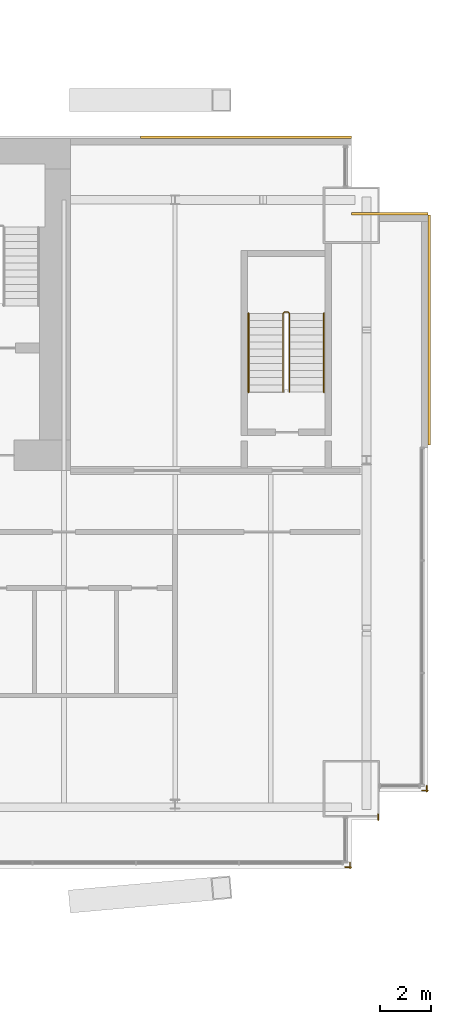
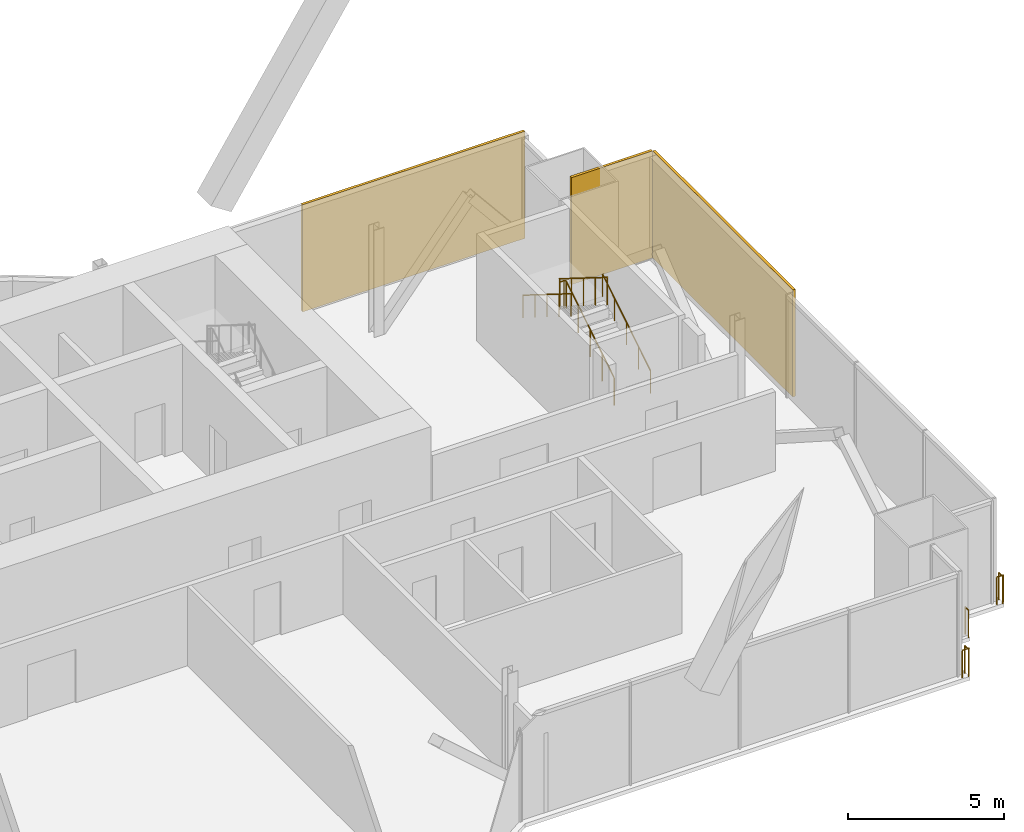
# One storey, part 19 of 19: 6 railings, 3 coverings.
"""IFC4 building model written with IfcOpenShell, lengths in metres."""

from ifc_helpers import new_model, si_unit, direction, frame, origin, origin_2d, place, context, subcontext, project, spatial, rectangle, circle, extrude, material, layer, layer_set, type_object, element, save


model = new_model("IFC4")

# Units and contexts
model_context = context("Model", 3, precision=1e-05, world=origin(), true_north=direction((0.0, 1.0)))
body_context = subcontext(model_context, "Body", "Model", "MODEL_VIEW")
ifc_project = project(units=[si_unit("LENGTHUNIT", "METRE"), si_unit("AREAUNIT", "SQUARE_METRE"), si_unit("VOLUMEUNIT", "CUBIC_METRE"), si_unit("PLANEANGLEUNIT", "RADIAN"), si_unit("MASSUNIT", "GRAM", prefix="KILO")], contexts=[model_context])

# Site, building, storey
site_placement = place(None, origin())
site = spatial("IfcSite", under=ifc_project, at=site_placement, CompositionType="ELEMENT")
building_placement = place(site_placement, origin())
building = spatial("IfcBuilding", under=site, at=building_placement, Name="Bicima Exchange Tower", CompositionType="ELEMENT")
storey_placement = place(building_placement, frame((0.0, 0.0, 270.800048828125)))
storey = spatial("IfcBuildingStorey", under=building, at=storey_placement, Name="L61", CompositionType="ELEMENT", Elevation=270.800048828125)

# Coverings
ifc_material_1 = material(Name="Bronze metal cladding")
ifc_layer_1 = layer(ifc_material_1, 0.004)
ifc_material_2 = material(Name="Ventilated cavity")
ifc_layer_2 = layer(ifc_material_2, 0.06)
ifc_material_3 = material(Name="Galvanised steel rail and mineral wool", Category="steel")
ifc_layer_3 = layer(ifc_material_3, 0.036)
ifc_layer_set = layer_set([ifc_layer_1, ifc_layer_2, ifc_layer_3], Name="Ventilated cavity")
covering_type = type_object("IfcCoveringType", Name="Bronze metal cladding panel 100", PredefinedType="CLADDING", material=ifc_layer_set)
covering_1_placement = place(storey_placement, frame((28.875, 0.050048828125, -0.14990234375), z_axis=(0.0, 0.0, 1.0), x_axis=(-1.0, 0.0, 0.0)))
element("IfcCovering", 1, at=covering_1_placement, inside=storey, type_object=covering_type, Name="Bronze cladding L61 1.1", PredefinedType="CLADDING", context=body_context, shape_type="SweptSolid", body=[
    extrude(rectangle(XDim=8.25, YDim=0.10009765625, at=origin_2d()), origin(), (0.0, 0.0, 1.0), 4.199951171875),
])
covering_2_placement = place(storey_placement, frame((36.050048828125, -7.5, -0.14990234375), z_axis=(0.0, 0.0, 1.0), x_axis=(0.0, 1.0, 0.0)))
element("IfcCovering", 2, at=covering_2_placement, inside=storey, type_object=covering_type, Name="Bronze cladding L61 50.1", PredefinedType="CLADDING", context=body_context, shape_type="SweptSolid", body=[
    extrude(rectangle(XDim=9.0, YDim=0.10009765625, at=origin_2d()), origin(), (0.0, 0.0, 1.0), 4.199951171875),
])
covering_3_placement = place(storey_placement, frame((34.5, -2.949951171875, -0.14990234375), z_axis=(0.0, 0.0, 1.0), x_axis=(-1.0, 0.0, 0.0)))
element("IfcCovering", 3, at=covering_3_placement, inside=storey, type_object=covering_type, Name="Bronze cladding L61 51.1", PredefinedType="CLADDING", context=body_context, shape_type="SweptSolid", body=[
    extrude(rectangle(XDim=3.0, YDim=0.10009765625, at=origin_2d()), origin(), (0.0, 0.0, 1.0), 4.199951171875),
])

# Railings
ifc_material_4 = material(Name="Stainless steel and bonded safety glass", Category="steel")
railing_type_1 = type_object("IfcRailingType", Name="Edge guard 1100", PredefinedType="GUARDRAIL", material=ifc_material_4)
railing_1_placement = place(storey_placement, frame((35.949951171875, -25.33203125, 0.0)))
element("IfcRailing", 4, at=railing_1_placement, inside=storey, type_object=railing_type_1, Name="Edge guard L61 314", PredefinedType="GUARDRAIL", context=body_context, shape_type="SweptSolid", body=[
    extrude(circle(Radius=0.02392578125, at=origin_2d()), frame((0.0, 0.0, 1.076171875), z_axis=(0.0, -1.0, 0.0), x_axis=(1.0, 0.0, 0.0)), (0.0, 0.0, 1.0), 0.248046875),
    extrude(circle(Radius=0.02392578125, at=origin_2d()), frame((0.0, -0.248046875, 1.076171875), z_axis=(0.707106781187, 0.707106781187, 0.0), x_axis=(-0.707106781187, 0.707106781187, 0.0)), (0.0, 0.0, 1.0), 0.07080078125),
    extrude(circle(Radius=0.02392578125, at=origin_2d()), frame((0.050048828125, -0.197998046875, 1.076171875), z_axis=(-1.0, 0.0, 0.0), x_axis=(0.0, -1.0, 0.0)), (0.0, 0.0, 1.0), 0.237060546875),
    extrude(circle(Radius=0.02099609375, at=origin_2d()), origin(), (0.0, 0.0, 1.0), 1.052001953125),
    extrude(circle(Radius=0.02099609375, at=origin_2d()), frame((0.0, -0.248046875, 0.0)), (0.0, 0.0, 1.0), 1.052001953125),
    extrude(circle(Radius=0.02099609375, at=origin_2d()), frame((0.050048828125, -0.197998046875, 0.0)), (0.0, 0.0, 1.0), 1.052001953125),
    extrude(circle(Radius=0.02099609375, at=origin_2d()), frame((-0.18701171875, -0.197998046875, 0.0)), (0.0, 0.0, 1.0), 1.052001953125),
])
railing_2_placement = place(storey_placement, frame((34.050048828125, -26.4599609375, 0.0)))
element("IfcRailing", 5, at=railing_2_placement, inside=storey, type_object=railing_type_1, Name="Edge guard L61 315", PredefinedType="GUARDRAIL", context=body_context, shape_type="SweptSolid", body=[
    extrude(circle(Radius=0.02392578125, at=origin_2d()), frame((0.0, 0.0, 1.076171875), z_axis=(0.0, -1.0, 0.0), x_axis=(1.0, 0.0, 0.0)), (0.0, 0.0, 1.0), 0.219970703125),
    extrude(circle(Radius=0.02099609375, at=origin_2d()), origin(), (0.0, 0.0, 1.0), 1.052001953125),
    extrude(circle(Radius=0.02099609375, at=origin_2d()), frame((0.0, -0.219970703125, 0.0)), (0.0, 0.0, 1.0), 1.052001953125),
])
railing_3_placement = place(storey_placement, frame((32.949951171875, -28.342041015625, 0.0)))
element("IfcRailing", 6, at=railing_3_placement, inside=storey, type_object=railing_type_1, Name="Edge guard L61 316", PredefinedType="GUARDRAIL", context=body_context, shape_type="SweptSolid", body=[
    extrude(circle(Radius=0.02392578125, at=origin_2d()), frame((0.0, 0.0, 1.076171875), z_axis=(0.0, -1.0, 0.0), x_axis=(1.0, 0.0, 0.0)), (0.0, 0.0, 1.0), 0.238037109375),
    extrude(circle(Radius=0.02392578125, at=origin_2d()), frame((0.0, -0.238037109375, 1.076171875), z_axis=(0.707106781187, 0.707106781187, 0.0), x_axis=(-0.707106781187, 0.707106781187, 0.0)), (0.0, 0.0, 1.0), 0.07080078125),
    extrude(circle(Radius=0.02392578125, at=origin_2d()), frame((0.050048828125, -0.18798828125, 1.076171875), z_axis=(-1.0, 0.0, 0.0), x_axis=(0.0, -1.0, 0.0)), (0.0, 0.0, 1.0), 0.25),
    extrude(circle(Radius=0.02099609375, at=origin_2d()), origin(), (0.0, 0.0, 1.0), 1.052001953125),
    extrude(circle(Radius=0.02099609375, at=origin_2d()), frame((0.0, -0.238037109375, 0.0)), (0.0, 0.0, 1.0), 1.052001953125),
    extrude(circle(Radius=0.02099609375, at=origin_2d()), frame((0.050048828125, -0.18798828125, 0.0)), (0.0, 0.0, 1.0), 1.052001953125),
    extrude(circle(Radius=0.02099609375, at=origin_2d()), frame((-0.199951171875, -0.18798828125, 0.0)), (0.0, 0.0, 1.0), 1.052001953125),
])
ifc_material_5 = material(Name="Stainless steel", Category="steel")
railing_type_2 = type_object("IfcRailingType", Name="Stair guard 1100", PredefinedType="GUARDRAIL", material=ifc_material_5)
railing_4_placement = place(storey_placement, frame((30.574951171875, -9.925048828125, 0.175048828125)))
element("IfcRailing", 7, at=railing_4_placement, inside=storey, type_object=railing_type_2, Name="L61 ST-EE stair guard 1", PredefinedType="GUARDRAIL", context=body_context, shape_type="SweptSolid", body=[
    extrude(circle(Radius=0.02392578125, at=origin_2d()), frame((0.0, 0.0, 1.076171875), z_axis=(0.0, 0.848028513186, 0.529950602248), x_axis=(-1.0, 0.0, 0.0)), (0.0, 0.0, 1.0), 3.632080078125),
    extrude(circle(Radius=0.02392578125, at=origin_2d()), frame((0.0, 3.080078125, 3.0009765625), z_axis=(-0.707106781187, 0.707106781187, 0.0), x_axis=(-0.707106781187, -0.707106781187, 0.0)), (0.0, 0.0, 1.0), 0.07080078125),
    extrude(circle(Radius=0.02392578125, at=origin_2d()), frame((-0.050048828125, 3.130126953125, 3.0009765625), z_axis=(-1.0, 0.0, 0.0), x_axis=(0.0, -1.0, 0.0)), (0.0, 0.0, 1.0), 0.14990234375),
    extrude(circle(Radius=0.02392578125, at=origin_2d()), frame((-0.199951171875, 3.130126953125, 3.0009765625), z_axis=(-0.265065253269, -0.265065253269, 0.927081885822), x_axis=(0.707106781187, -0.707106781187, 0.0)), (0.0, 0.0, 1.0), 0.188720703125),
    extrude(circle(Radius=0.02392578125, at=origin_2d()), frame((-0.25, 3.080078125, 3.17578125), z_axis=(0.0, -0.847998304005, 0.529998940003), x_axis=(1.0, 0.0, 0.0)), (0.0, 0.0, 1.0), 3.632080078125),
    extrude(circle(Radius=0.02099609375, at=origin_2d()), origin(), (0.0, 0.0, 1.0), 1.052001953125),
    extrude(circle(Radius=0.02099609375, at=origin_2d()), frame((0.0, 0.77001953125, 0.481201171875)), (0.0, 0.0, 1.0), 1.052001953125),
    extrude(circle(Radius=0.02099609375, at=origin_2d()), frame((0.0, 1.5400390625, 0.96240234375)), (0.0, 0.0, 1.0), 1.052001953125),
    extrude(circle(Radius=0.02099609375, at=origin_2d()), frame((0.0, 2.31005859375, 1.443603515625)), (0.0, 0.0, 1.0), 1.052001953125),
    extrude(circle(Radius=0.02099609375, at=origin_2d()), frame((0.0, 3.080078125, 1.9248046875)), (0.0, 0.0, 1.0), 1.052001953125),
    extrude(circle(Radius=0.02099609375, at=origin_2d()), frame((-0.050048828125, 3.130126953125, 1.9248046875)), (0.0, 0.0, 1.0), 1.052001953125),
    extrude(circle(Radius=0.02099609375, at=origin_2d()), frame((-0.199951171875, 3.130126953125, 1.9248046875)), (0.0, 0.0, 1.0), 1.052001953125),
    extrude(circle(Radius=0.02099609375, at=origin_2d()), frame((-0.25, 3.080078125, 2.099853515625)), (0.0, 0.0, 1.0), 1.052001953125),
    extrude(circle(Radius=0.02099609375, at=origin_2d()), frame((-0.25, 2.31005859375, 2.5810546875)), (0.0, 0.0, 1.0), 1.052001953125),
    extrude(circle(Radius=0.02099609375, at=origin_2d()), frame((-0.25, 1.5400390625, 3.0625)), (0.0, 0.0, 1.0), 1.052001953125),
    extrude(circle(Radius=0.02099609375, at=origin_2d()), frame((-0.25, 0.77001953125, 3.543701171875)), (0.0, 0.0, 1.0), 1.052001953125),
    extrude(circle(Radius=0.02099609375, at=origin_2d()), frame((-0.25, 0.0, 4.02490234375)), (0.0, 0.0, 1.0), 1.052001953125),
])
railing_type_3 = type_object("IfcRailingType", Name="Stair handrail 900", PredefinedType="HANDRAIL", material=ifc_material_5)
railing_5_placement = place(storey_placement, frame((31.925048828125, -9.925048828125, 0.175048828125)))
element("IfcRailing", 8, at=railing_5_placement, inside=storey, type_object=railing_type_3, Name="L61 ST-EE stair handrail 1", PredefinedType="HANDRAIL", context=body_context, shape_type="SweptSolid", body=[
    extrude(circle(Radius=0.02392578125, at=origin_2d()), frame((0.0, 0.0, 0.8759765625), z_axis=(0.0, 0.848028513186, 0.529950602248), x_axis=(-1.0, 0.0, 0.0)), (0.0, 0.0, 1.0), 3.632080078125),
    extrude(circle(Radius=0.02099609375, at=origin_2d()), origin(), (0.0, 0.0, 1.0), 0.851806640625),
    extrude(circle(Radius=0.02099609375, at=origin_2d()), frame((0.0, 0.77001953125, 0.481201171875)), (0.0, 0.0, 1.0), 0.851806640625),
    extrude(circle(Radius=0.02099609375, at=origin_2d()), frame((0.0, 1.5400390625, 0.96240234375)), (0.0, 0.0, 1.0), 0.851806640625),
    extrude(circle(Radius=0.02099609375, at=origin_2d()), frame((0.0, 2.31005859375, 1.443603515625)), (0.0, 0.0, 1.0), 0.851806640625),
    extrude(circle(Radius=0.02099609375, at=origin_2d()), frame((0.0, 3.080078125, 1.9248046875)), (0.0, 0.0, 1.0), 0.851806640625),
])
railing_6_placement = place(storey_placement, frame((28.97509765625, -6.844970703125, 2.303955078125)))
element("IfcRailing", 9, at=railing_6_placement, inside=storey, type_object=railing_type_3, Name="L61 ST-EE stair handrail 2", PredefinedType="HANDRAIL", context=body_context, shape_type="SweptSolid", body=[
    extrude(circle(Radius=0.02392578125, at=origin_2d()), frame((0.0, 0.0, 0.8759765625), z_axis=(0.0, -0.847998304005, 0.529998940003), x_axis=(1.0, 0.0, 0.0)), (0.0, 0.0, 1.0), 3.632080078125),
    extrude(circle(Radius=0.02099609375, at=origin_2d()), origin(), (0.0, 0.0, 1.0), 0.851806640625),
    extrude(circle(Radius=0.02099609375, at=origin_2d()), frame((0.0, -0.77001953125, 0.481201171875)), (0.0, 0.0, 1.0), 0.851806640625),
    extrude(circle(Radius=0.02099609375, at=origin_2d()), frame((0.0, -1.5400390625, 0.96240234375)), (0.0, 0.0, 1.0), 0.851806640625),
    extrude(circle(Radius=0.02099609375, at=origin_2d()), frame((0.0, -2.31005859375, 1.44384765625)), (0.0, 0.0, 1.0), 0.851806640625),
    extrude(circle(Radius=0.02099609375, at=origin_2d()), frame((0.0, -3.080078125, 1.925048828125)), (0.0, 0.0, 1.0), 0.851806640625),
])

save(model, "model.ifc")
